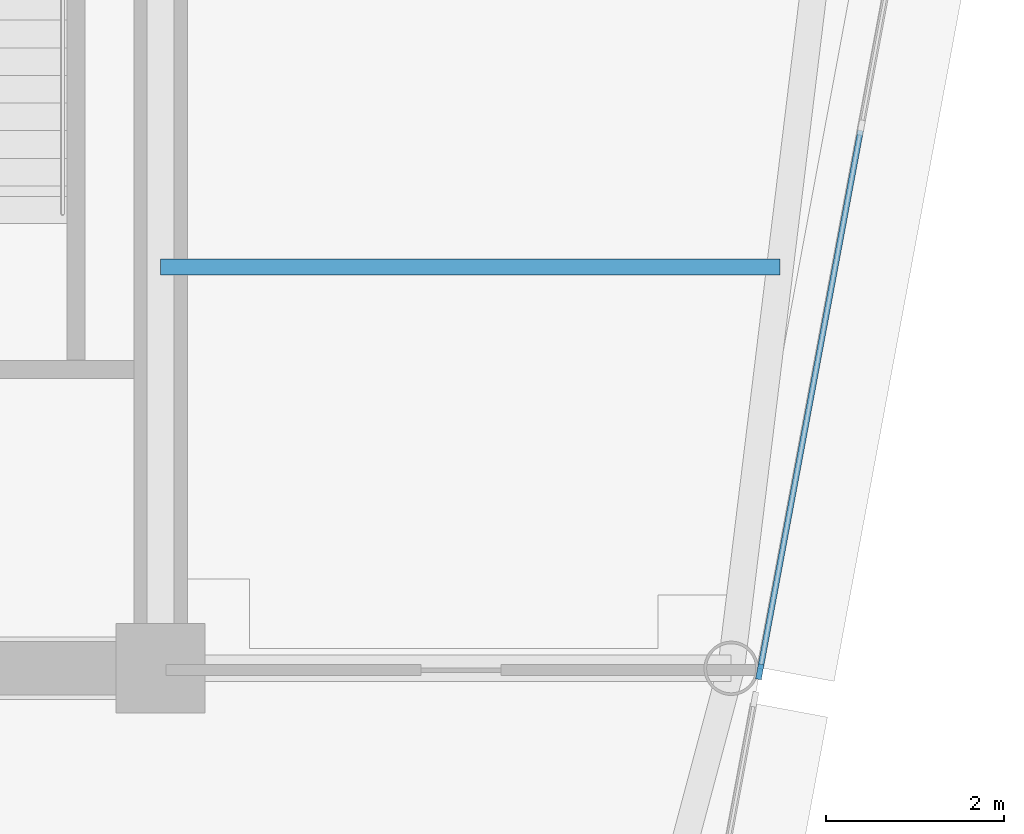
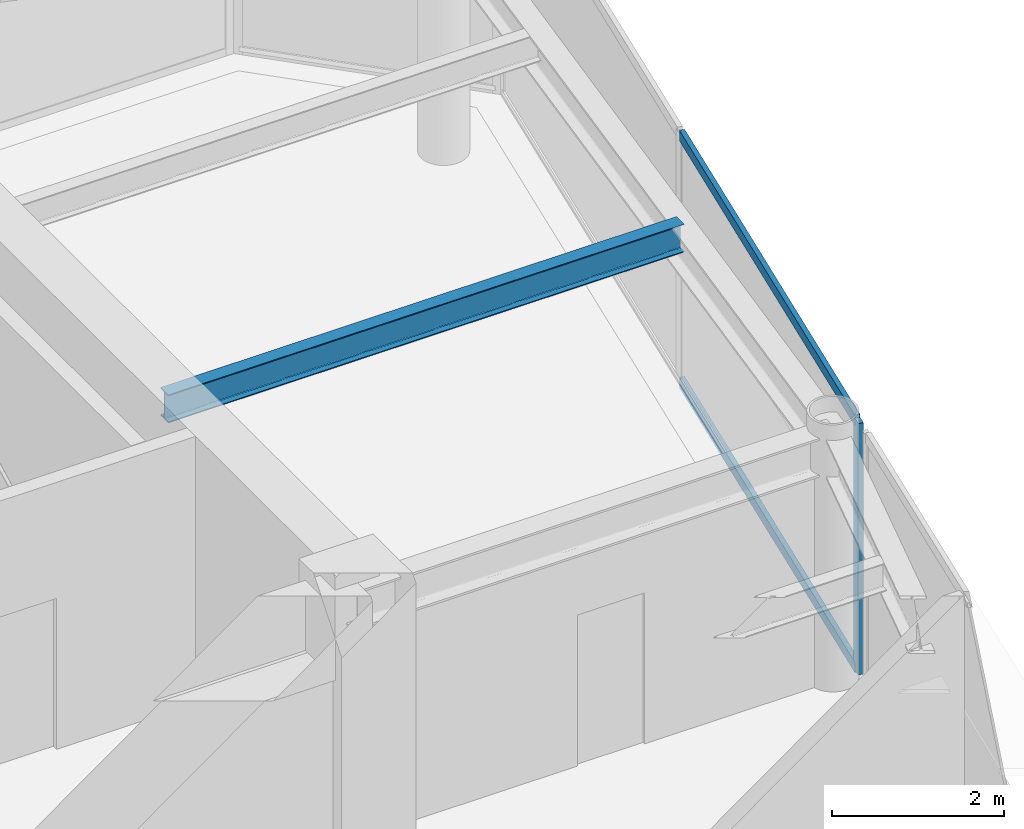
# One storey, part 5 of 14: 3 members, 1 beam, 1 element without a shape of its own.
"""IFC4 building model written with IfcOpenShell, lengths in metres."""

import ifcopenshell
import ifcopenshell.guid

model = None  # the IFC model being written
_history = None  # IfcOwnerHistory: only IFC2X3 demands one
_inside = {}  # id of a spatial element -> (the spatial element, [elements in it])
_under = {}  # id of a project, library or spatial element -> (it, [spatial elements below it])
_declared = {}  # id of a project -> (the project, [libraries it declares])
_typed = {}  # id of a type object -> (the type object, [elements of that type])
_made_of = {}  # id of a material, layer set ... -> (it, [elements and type objects made of it])


def new_model(schema):
    """Start an empty IFC model of exactly this schema.

    Asked for "IFC4X3", IfcOpenShell would pick the latest addendum, in which some entities
    have other attributes; the version numbers below select the first issue.
    IFC2X3 requires an IfcOwnerHistory on every rooted entity: one is made here for all.
    """
    global model, _history
    if schema == "IFC4X3":
        model = ifcopenshell.file(schema_version=(4, 3, 0, 0))
    else:
        model = ifcopenshell.file(schema=schema)
    _inside.clear()
    _under.clear()
    _declared.clear()
    _typed.clear()
    _made_of.clear()
    _history = None
    if model.schema == "IFC2X3":
        org = make("IfcOrganization", Name="unknown")
        user = make(
            "IfcPersonAndOrganization",
            ThePerson=make("IfcPerson", FamilyName="unknown"),
            TheOrganization=org,
        )
        app = make(
            "IfcApplication",
            ApplicationDeveloper=org,
            Version="unknown",
            ApplicationFullName="unknown",
            ApplicationIdentifier="unknown",
        )
        _history = make(
            "IfcOwnerHistory",
            OwningUser=user,
            OwningApplication=app,
            ChangeAction="ADDED",
            CreationDate=0,
        )
    return model


def make(cls, **values):
    """One entity of the class cls with the attributes given. An attribute that is None is left unset."""
    return model.create_entity(
        cls, **{name: value for name, value in values.items() if value is not None}
    )


def rooted(cls, **values):
    """An entity with a GlobalId (a new one), such as an element, a storey or a relation."""
    return make(cls, GlobalId=ifcopenshell.guid.new(), OwnerHistory=_history, **values)


def si_unit(unit_type, name, prefix=None):
    """IfcSIUnit, for example si_unit("LENGTHUNIT", "METRE", prefix="MILLI")."""
    return make("IfcSIUnit", UnitType=unit_type, Prefix=prefix, Name=name)


def assignment(units):
    """IfcUnitAssignment: the units of a project."""
    return None if units is None else make("IfcUnitAssignment", Units=units)


def point(xyz):
    """IfcCartesianPoint."""
    return None if xyz is None else make("IfcCartesianPoint", Coordinates=xyz)


def direction(xyz):
    """IfcDirection."""
    return None if xyz is None else make("IfcDirection", DirectionRatios=xyz)


def frame(location, z_axis=None, x_axis=None):
    """IfcAxis2Placement3D, a coordinate frame: its origin and axes. An axis left out is left unset."""
    return make(
        "IfcAxis2Placement3D",
        Location=point(location),
        Axis=direction(z_axis),
        RefDirection=direction(x_axis),
    )


def frame_2d(location, x_axis=None):
    """IfcAxis2Placement2D, a coordinate frame in the plane: its origin and x axis."""
    return make(
        "IfcAxis2Placement2D", Location=point(location), RefDirection=direction(x_axis)
    )


def origin():
    """The frame at (0, 0, 0) with its axes left unset."""
    return frame((0.0, 0.0, 0.0))


def origin_2d():
    """The frame at (0, 0) in the plane with its x axis left unset."""
    return frame_2d((0.0, 0.0))


def place(relative_to, where):
    """IfcLocalPlacement: puts the frame where relative to a parent placement (None: the world)."""
    return make(
        "IfcLocalPlacement", PlacementRelTo=relative_to, RelativePlacement=where
    )


def context(
    kind, dimensions, precision=None, world=None, true_north=None, identifier=None
):
    """IfcGeometricRepresentationContext, for example the 3D "Model" context."""
    return make(
        "IfcGeometricRepresentationContext",
        ContextIdentifier=identifier,
        ContextType=kind,
        CoordinateSpaceDimension=dimensions,
        Precision=precision,
        WorldCoordinateSystem=world,
        TrueNorth=true_north,
    )


def subcontext(parent, identifier, kind, view, scale=None):
    """IfcGeometricRepresentationSubContext, for example "Body" below "Model"."""
    return make(
        "IfcGeometricRepresentationSubContext",
        ContextIdentifier=identifier,
        ContextType=kind,
        ParentContext=parent,
        TargetScale=scale,
        TargetView=view,
    )


def project(units=None, contexts=None):
    """IfcProject with its units and contexts."""
    return rooted(
        "IfcProject",
        Name="project",
        RepresentationContexts=contexts,
        UnitsInContext=assignment(units),
    )


def spatial(cls, under=None, at=None, **own):
    """A site, building, storey or space (cls), placed at a placement, below another one or the project."""
    s = rooted(cls, ObjectPlacement=at, **own)
    if under is not None:
        _under.setdefault(under.id(), (under, []))[1].append(s)
    return s


def profile(cls, at=None, kind="AREA", **sizes):
    """A parametric profile (cls). Its sizes go by their IFC names, for example OverallWidth=200.0."""
    return make(cls, ProfileType=kind, Position=at, **sizes)


def rectangle(**sizes):
    """IfcRectangleProfileDef."""
    return profile("IfcRectangleProfileDef", **sizes)


def i_section(**sizes):
    """IfcIShapeProfileDef."""
    return profile("IfcIShapeProfileDef", **sizes)


def extrude(swept, where, along, depth):
    """IfcExtrudedAreaSolid: the profile swept, set in the frame where, extruded along a direction by depth."""
    return make(
        "IfcExtrudedAreaSolid",
        SweptArea=swept,
        Position=where,
        ExtrudedDirection=direction(along),
        Depth=depth,
    )


def shape(context_of_items, identifier, shape_type, items):
    """IfcShapeRepresentation: the items that make up one representation, for example the "Body"."""
    return make(
        "IfcShapeRepresentation",
        ContextOfItems=context_of_items,
        RepresentationIdentifier=identifier,
        RepresentationType=shape_type,
        Items=items,
    )


def source(mapping_origin, context_of_items, identifier, shape_type, items):
    """IfcRepresentationMap: a shape defined once, which mapped items show again and again."""
    return make(
        "IfcRepresentationMap",
        MappingOrigin=mapping_origin,
        MappedRepresentation=shape(context_of_items, identifier, shape_type, items),
    )


def transform(
    local_origin,
    x_axis=None,
    y_axis=None,
    z_axis=None,
    scale=None,
    scale2=None,
    scale3=None,
    uniform=True,
):
    """IfcCartesianTransformationOperator3D, or its non-uniform kind. x_axis, y_axis, z_axis: its Axis1, 2, 3."""
    if uniform:
        return make(
            "IfcCartesianTransformationOperator3D",
            Axis1=direction(x_axis),
            Axis2=direction(y_axis),
            LocalOrigin=point(local_origin),
            Scale=scale,
            Axis3=direction(z_axis),
        )
    return make(
        "IfcCartesianTransformationOperator3DnonUniform",
        Axis1=direction(x_axis),
        Axis2=direction(y_axis),
        LocalOrigin=point(local_origin),
        Scale=scale,
        Axis3=direction(z_axis),
        Scale2=scale2,
        Scale3=scale3,
    )


def mapped(mapping_source, mapping_target):
    """IfcMappedItem: shows the shape of a source again, moved by a transform."""
    return make(
        "IfcMappedItem", MappingSource=mapping_source, MappingTarget=mapping_target
    )


def material(Name=None, Category=None):
    """IfcMaterial."""
    return make("IfcMaterial", Name=Name, Category=Category)


def layer(
    of_material, thickness, ventilated=None, Name=None, Category=None, Priority=None
):
    """IfcMaterialLayer: one layer of a wall or slab, of a material (None: an air gap)."""
    return make(
        "IfcMaterialLayer",
        Material=of_material,
        LayerThickness=thickness,
        IsVentilated=ventilated,
        Name=Name,
        Category=Category,
        Priority=Priority,
    )


def layer_set(layers, Name=None):
    """IfcMaterialLayerSet."""
    return make("IfcMaterialLayerSet", MaterialLayers=layers, LayerSetName=Name)


def material_profile(
    of_material, cross_section, Name=None, Category=None, Priority=None
):
    """IfcMaterialProfile: a cross section and its material."""
    return make(
        "IfcMaterialProfile",
        Name=Name,
        Material=of_material,
        Profile=cross_section,
        Priority=Priority,
        Category=Category,
    )


def profile_set(profiles, Name=None, composite=None):
    """IfcMaterialProfileSet."""
    return make(
        "IfcMaterialProfileSet",
        Name=Name,
        MaterialProfiles=profiles,
        CompositeProfile=composite,
    )


def made_of(thing, what):
    """Note that an element or type object is made of a material, layer set ...; save() writes the relation."""
    if what is not None:
        _made_of.setdefault(what.id(), (what, []))[1].append(thing)
    return thing


def type_object(cls, material=None, **own):
    """A type object (cls), such as IfcWallType, which elements share."""
    return made_of(rooted(cls, **own), material)


def element(
    cls,
    number,
    at=None,
    inside=None,
    cuts=None,
    type_object=None,
    material=None,
    context=None,
    identifier="Body",
    shape_type=None,
    held_by="IfcProductDefinitionShape",
    body=None,
    shapes=None,
    **own,
):
    """One element of the class cls, such as IfcWall. Its Tag is "e" and its number.

    at: its placement. inside: the storey or other place that contains it. cuts: it is an
    opening in that element (IfcRelVoidsElement). A single representation is given by context,
    identifier, shape_type and body (its items); several are given by shapes. held_by: the class
    of the entity that holds the representations. save() writes the other relations.
    """
    e = rooted(cls, Tag="e%d" % number, ObjectPlacement=at, **own)
    if body is not None:
        shapes = [shape(context, identifier, shape_type, body)]
    if shapes is not None:
        e.Representation = make(held_by, Representations=shapes)
    if inside is not None:
        _inside.setdefault(inside.id(), (inside, []))[1].append(e)
    if cuts is not None:
        rooted(
            "IfcRelVoidsElement", RelatingBuildingElement=cuts, RelatedOpeningElement=e
        )
    if type_object is not None:
        _typed.setdefault(type_object.id(), (type_object, []))[1].append(e)
    return made_of(e, material)


def aggregate(whole, parts):
    """IfcRelAggregates: a whole, such as a stair, and the parts it consists of."""
    return rooted("IfcRelAggregates", RelatingObject=whole, RelatedObjects=parts)


def save(model, path):
    """Write the relations noted so far, then the file.

    IfcRelAggregates (storeys below a building ...), IfcRelContainedInSpatialStructure (elements
    in a storey), IfcRelDefinesByType, IfcRelAssociatesMaterial and IfcRelDeclares: one each for
    every whole, place, type object, material and project.
    """
    for whole, parts in _under.values():
        aggregate(whole, parts)
    for where, things in _inside.values():
        rooted(
            "IfcRelContainedInSpatialStructure",
            RelatedElements=things,
            RelatingStructure=where,
        )
    for kind, things in _typed.values():
        rooted("IfcRelDefinesByType", RelatedObjects=things, RelatingType=kind)
    for what, things in _made_of.values():
        rooted("IfcRelAssociatesMaterial", RelatedObjects=things, RelatingMaterial=what)
    for by, libraries in _declared.values():
        rooted("IfcRelDeclares", RelatingContext=by, RelatedDefinitions=libraries)
    model.write(path)


model = new_model("IFC4")

# Units and contexts
model_context = context("Model", 3, precision=1e-05, world=origin(), true_north=direction((0.0, 1.0)))
body_context = subcontext(model_context, "Body", "Model", "MODEL_VIEW")
ifc_project = project(units=[si_unit("LENGTHUNIT", "METRE"), si_unit("AREAUNIT", "SQUARE_METRE"), si_unit("VOLUMEUNIT", "CUBIC_METRE"), si_unit("PLANEANGLEUNIT", "RADIAN"), si_unit("MASSUNIT", "GRAM", prefix="KILO")], contexts=[model_context])

# Site, building, storey
site_placement = place(None, origin())
site = spatial("IfcSite", under=ifc_project, at=site_placement, CompositionType="ELEMENT")
building_placement = place(site_placement, origin())
building = spatial("IfcBuilding", under=site, at=building_placement, Name="Vaeldorn Concourse Tower", CompositionType="ELEMENT")
storey_placement = place(building_placement, frame((0.0, 0.0, 238.39990234375)))
storey = spatial("IfcBuildingStorey", under=building, at=storey_placement, Name="L61", CompositionType="ELEMENT", Elevation=238.39990234375)

# Beam
ifc_material_1 = material(Name="Steel S355", Category="steel")
ifc_material_profile_1 = material_profile(ifc_material_1, i_section(OverallWidth=0.179931640625, OverallDepth=0.39990234375, WebThickness=0.008544921875, FlangeThickness=0.013427734375, FilletRadius=0.02099609375, at=origin_2d()), Name="IPE 400")
ifc_profile_set_1 = profile_set([ifc_material_profile_1], Name="Steel S355")
beam_type = type_object("IfcBeamType", Name="BM-JS-IPE400", PredefinedType="JOIST", material=ifc_profile_set_1)
shared_shape_1 = source(origin(), body_context, "Body", "SweptSolid", [
    extrude(i_section(OverallWidth=0.179931640625, OverallDepth=0.39990234375, WebThickness=0.008544921875, FlangeThickness=0.013427734375, FilletRadius=0.02099609375, at=origin_2d()), origin(), (0.0, 0.0, 1.0), 6.94775390625),
])
beam_placement = place(storey_placement, frame((54.0, 41.0, 3.380126953125), z_axis=(1.0, 0.0, 0.0), x_axis=(0.0, 1.0, 0.0)))
element("IfcBeam", 1, at=beam_placement, inside=storey, type_object=beam_type, Name="Beam JS-L61-NE-410", PredefinedType="JOIST", context=body_context, shape_type="MappedRepresentation", body=[
    mapped(shared_shape_1, transform((0.0, 0.0, 0.0), scale=1.0)),
])

# Curtain wall, members
ifc_material_2 = material(Name="Anodised Bronze Aluminium", Category="aluminium")
ifc_layer = layer(ifc_material_2, 0.2099609375)
ifc_layer_set = layer_set([ifc_layer], Name="Anodised Bronze Aluminium")
curtain_wall_type = type_object("IfcCurtainWallType", Name="CW-SYS-06", PredefinedType="NOTDEFINED", material=ifc_layer_set)
curtain_wall_placement = place(storey_placement, origin())
curtain_wall = element("IfcCurtainWall", 2, at=curtain_wall_placement, inside=storey, type_object=curtain_wall_type, Name="Unitised Curtain Wall CW-L61-E07-2", PredefinedType="NOTDEFINED")
ifc_material_profile_2 = material_profile(ifc_material_2, rectangle(XDim=0.06494140625, YDim=0.169921875, at=origin_2d()), Name="CWM 65x170")
ifc_profile_set_2 = profile_set([ifc_material_profile_2], Name="Anodised Bronze Aluminium")
member_type_1 = type_object("IfcMemberType", Name="CWM-BRONZE-170", PredefinedType="MULLION", material=ifc_profile_set_2)
shared_shape_2 = source(origin(), body_context, "Body", "SweptSolid", [
    extrude(rectangle(XDim=0.06494140625, YDim=0.169921875, at=origin_2d()), origin(), (0.0, 0.0, 1.0), 3.580078125),
])
member_1_placement = place(storey_placement, frame((60.720947265625, 36.460205078125, 0.0), z_axis=(0.0, 0.0, 1.0), x_axis=(-0.983102768025, 0.183054493257, 0.0)))
member_1 = element("IfcMember", 3, at=member_1_placement, type_object=member_type_1, Name="CW-06 mullion 1", PredefinedType="MULLION", context=body_context, shape_type="MappedRepresentation", body=[
    mapped(shared_shape_2, transform((0.0, 0.0, 0.0), scale=1.0)),
])
ifc_material_profile_3 = material_profile(ifc_material_2, rectangle(XDim=0.06494140625, YDim=0.14990234375, at=origin_2d()), Name="CWT 65x150")
ifc_profile_set_3 = profile_set([ifc_material_profile_3], Name="Anodised Bronze Aluminium")
member_type_2 = type_object("IfcMemberType", Name="CWT-BRONZE-150", PredefinedType="USERDEFINED", material=ifc_profile_set_3)
shared_shape_3 = source(origin(), body_context, "Body", "SweptSolid", [
    extrude(rectangle(XDim=0.06494140625, YDim=0.14990234375, at=origin_2d()), origin(), (0.0, 0.0, 1.0), 6.143798828125),
])
member_2_placement = place(storey_placement, frame((60.726806640625, 36.4921875, 0.03271484375), z_axis=(0.183069583935, 0.983099958009, 0.0), x_axis=(-0.983099958009, 0.183069583935, 0.0)))
member_2 = element("IfcMember", 4, at=member_2_placement, type_object=member_type_2, Name="CW-06 transom 1.1", ObjectType="TRANSOM", PredefinedType="USERDEFINED", context=body_context, shape_type="MappedRepresentation", body=[
    mapped(shared_shape_3, transform((0.0, 0.0, 0.0), scale=1.0)),
])
member_3_placement = place(storey_placement, frame((60.726806640625, 36.4921875, 3.547607421875), z_axis=(0.183069583935, 0.983099958009, 0.0), x_axis=(-0.983099958009, 0.183069583935, 0.0)))
member_3 = element("IfcMember", 5, at=member_3_placement, type_object=member_type_2, Name="CW-06 transom 1.2", ObjectType="TRANSOM", PredefinedType="USERDEFINED", context=body_context, shape_type="MappedRepresentation", body=[
    mapped(shared_shape_3, transform((0.0, 0.0, 0.0), scale=1.0)),
])
aggregate(curtain_wall, [member_1, member_2, member_3])

save(model, "model.ifc")
